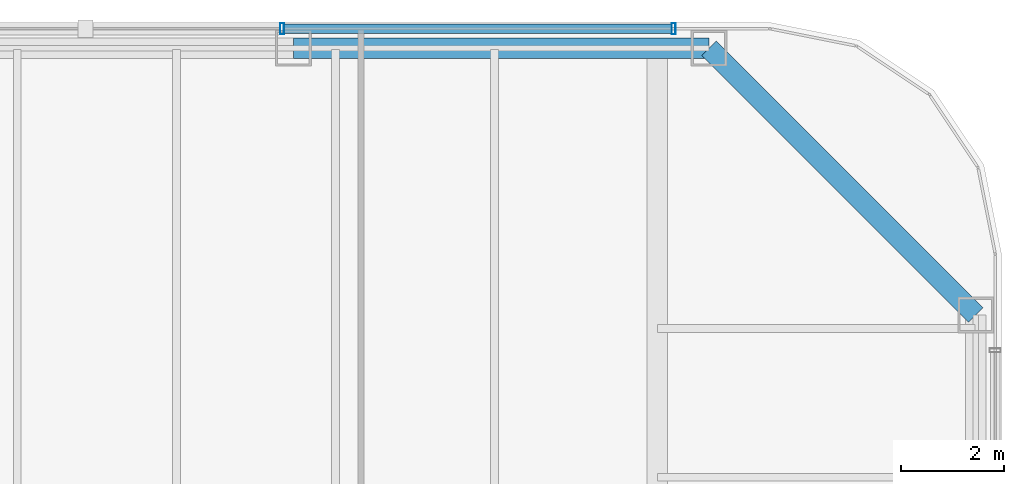
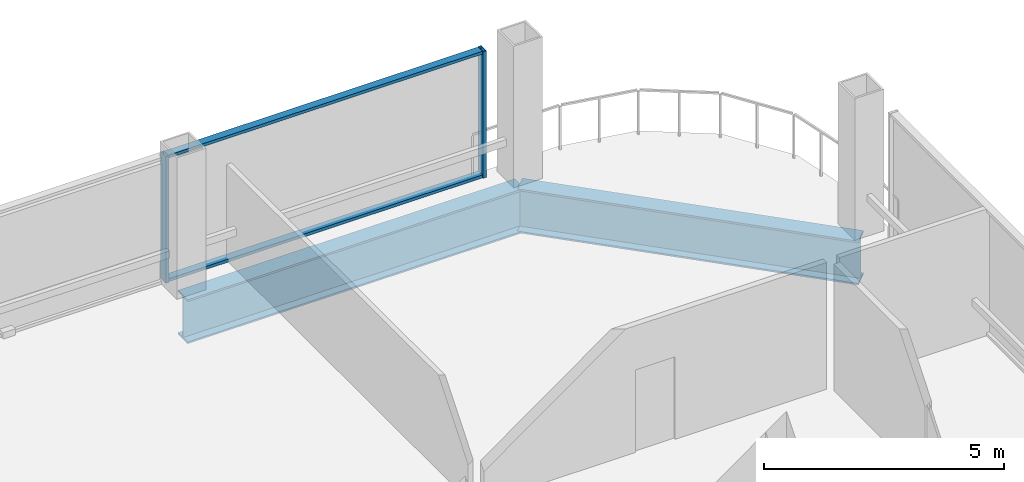
# One storey, part 13 of 19: 4 members, 2 beams, 1 element without a shape of its own.
"""IFC4 building model written with IfcOpenShell, lengths in metres."""

from ifc_helpers import new_model, si_unit, direction, frame, origin, origin_2d, place, context, subcontext, project, spatial, hollow_rectangle, i_section, extrude, material, layer, layer_set, material_profile, profile_set, type_object, element, aggregate, save


model = new_model("IFC4")

# Units and contexts
model_context = context("Model", 3, precision=1e-05, world=origin(), true_north=direction((0.0, 1.0)))
body_context = subcontext(model_context, "Body", "Model", "MODEL_VIEW")
ifc_project = project(units=[si_unit("LENGTHUNIT", "METRE"), si_unit("AREAUNIT", "SQUARE_METRE"), si_unit("VOLUMEUNIT", "CUBIC_METRE"), si_unit("PLANEANGLEUNIT", "RADIAN"), si_unit("MASSUNIT", "GRAM", prefix="KILO")], contexts=[model_context])

# Site, building, storey
site_placement = place(None, origin())
site = spatial("IfcSite", under=ifc_project, at=site_placement, CompositionType="ELEMENT")
building_placement = place(site_placement, origin())
building = spatial("IfcBuilding", under=site, at=building_placement, Name="Qhalaya Broadcast Tower", CompositionType="ELEMENT")
storey_placement = place(building_placement, frame((0.0, 0.0, 148.199951171875)))
storey = spatial("IfcBuildingStorey", under=building, at=storey_placement, Name="L43", CompositionType="ELEMENT", Elevation=148.199951171875)

# Beams
ifc_material_1 = material(Name="Structural Steel ASTM A992 Grade 50", Category="steel")
ifc_material_profile_1 = material_profile(ifc_material_1, i_section(OverallWidth=0.404052734375, OverallDepth=1.117919921875, WebThickness=0.026123046875, FlangeThickness=0.044921875, at=origin_2d()), Name="W44X335")
ifc_profile_set_1 = profile_set([ifc_material_profile_1], Name="Structural Steel ASTM A992 Grade 50")
beam_type = type_object("IfcBeamType", Name="Podium Long-Span Primary Girder PG1", PredefinedType="USERDEFINED", material=ifc_profile_set_1)
beam_1_placement = place(storey_placement, frame((15.580078125, 17.4599609375, -0.779052734375), z_axis=(-0.707123380132, 0.707090181851, 0.0), x_axis=(-0.707090181851, -0.707123380132, 0.0)))
element("IfcBeam", 1, at=beam_1_placement, inside=storey, type_object=beam_type, Name="L43 PG1 L43-SPR-08", ObjectType="GIRDER", PredefinedType="USERDEFINED", context=body_context, shape_type="SweptSolid", body=[
    extrude(i_section(OverallWidth=0.404052734375, OverallDepth=1.117919921875, WebThickness=0.026123046875, FlangeThickness=0.044921875, at=origin_2d()), origin(), (0.0, 0.0, 1.0), 7.35400390625),
])
beam_2_placement = place(storey_placement, frame((10.3798828125, 22.659912109375, -0.779052734375), z_axis=(-1.0, 0.0, 0.0), x_axis=(0.0, -1.0, 0.0)))
element("IfcBeam", 2, at=beam_2_placement, inside=storey, type_object=beam_type, Name="L43 PG1 L43-SPR-09", ObjectType="GIRDER", PredefinedType="USERDEFINED", context=body_context, shape_type="SweptSolid", body=[
    extrude(i_section(OverallWidth=0.404052734375, OverallDepth=1.117919921875, WebThickness=0.026123046875, FlangeThickness=0.044921875, at=origin_2d()), origin(), (0.0, 0.0, 1.0), 8.099853515625),
])

# Curtain wall, members
ifc_material_2 = material(Name="Solar-Control Low-E Triple Glazing", Category="glass")
ifc_layer = layer(ifc_material_2, 0.219970703125, Name="Solar-Control Low-E Triple Glazing")
ifc_layer_set = layer_set([ifc_layer], Name="Solar-Control Low-E Triple Glazing")
curtain_wall_type = type_object("IfcCurtainWallType", Name="Recessed Sky-Garden Neck Ribbon Curtain Wall CW-05", PredefinedType="NOTDEFINED", material=ifc_layer_set)
curtain_wall_placement = place(storey_placement, origin())
curtain_wall = element("IfcCurtainWall", 3, at=curtain_wall_placement, inside=storey, type_object=curtain_wall_type, Name="L43 Unitised Curtain Wall L43-CW-N", PredefinedType="NOTDEFINED")
ifc_material_3 = material(Name="Anodised Aluminium 6063-T6", Category="aluminium")
ifc_material_profile_2 = material_profile(ifc_material_3, hollow_rectangle(XDim=0.074951171875, YDim=0.219970703125, WallThickness=0.00390625, at=origin_2d()), Name="ALU-MUL 75x220x4")
ifc_profile_set_2 = profile_set([ifc_material_profile_2], Name="Anodised Aluminium 6063-T6")
member_type_1 = type_object("IfcMemberType", Name="Unitised Curtain-Wall Mullion M01", PredefinedType="MULLION", material=ifc_profile_set_2)
member_1_placement = place(storey_placement, frame((9.6923828125, 23.0400390625, 0.0), z_axis=(0.0, 0.0, 1.0), x_axis=(-1.0, 0.0, 0.0)))
member_1 = element("IfcMember", 4, at=member_1_placement, type_object=member_type_1, Name="CW-05 mullion 1", PredefinedType="MULLION", context=body_context, shape_type="SweptSolid", body=[
    extrude(hollow_rectangle(XDim=0.074951171875, YDim=0.219970703125, WallThickness=0.00390625, at=origin_2d()), origin(), (0.0, 0.0, 1.0), 3.219970703125),
])
member_2_placement = place(storey_placement, frame((2.063232421875, 23.0400390625, 0.0), z_axis=(0.0, 0.0, 1.0), x_axis=(-1.0, 0.0, 0.0)))
member_2 = element("IfcMember", 5, at=member_2_placement, type_object=member_type_1, Name="CW-05 mullion 2", PredefinedType="MULLION", context=body_context, shape_type="SweptSolid", body=[
    extrude(hollow_rectangle(XDim=0.074951171875, YDim=0.219970703125, WallThickness=0.00390625, at=origin_2d()), origin(), (0.0, 0.0, 1.0), 3.219970703125),
])
ifc_material_profile_3 = material_profile(ifc_material_3, hollow_rectangle(XDim=0.074951171875, YDim=0.179931640625, WallThickness=0.00390625, at=origin_2d()), Name="ALU-TRN 75x180x4")
ifc_profile_set_3 = profile_set([ifc_material_profile_3], Name="Anodised Aluminium 6063-T6")
member_type_2 = type_object("IfcMemberType", Name="Unitised Curtain-Wall Transom T01", PredefinedType="USERDEFINED", material=ifc_profile_set_3)
member_3_placement = place(storey_placement, frame((9.655029296875, 23.0400390625, 0.03759765625), z_axis=(-1.0, 0.0, 0.0), x_axis=(0.0, 0.0, 1.0)))
member_3 = element("IfcMember", 6, at=member_3_placement, type_object=member_type_2, Name="CW-05 transom 1.1", ObjectType="TRANSOM", PredefinedType="USERDEFINED", context=body_context, shape_type="SweptSolid", body=[
    extrude(hollow_rectangle(XDim=0.074951171875, YDim=0.179931640625, WallThickness=0.00390625, at=origin_2d()), origin(), (0.0, 0.0, 1.0), 7.55419921875),
])
member_4_placement = place(storey_placement, frame((9.655029296875, 23.0400390625, 3.1826171875), z_axis=(-1.0, 0.0, 0.0), x_axis=(0.0, 0.0, 1.0)))
member_4 = element("IfcMember", 7, at=member_4_placement, type_object=member_type_2, Name="CW-05 transom 1.2", ObjectType="TRANSOM", PredefinedType="USERDEFINED", context=body_context, shape_type="SweptSolid", body=[
    extrude(hollow_rectangle(XDim=0.074951171875, YDim=0.179931640625, WallThickness=0.00390625, at=origin_2d()), origin(), (0.0, 0.0, 1.0), 7.55419921875),
])
aggregate(curtain_wall, [member_1, member_2, member_3, member_4])

save(model, "model.ifc")
